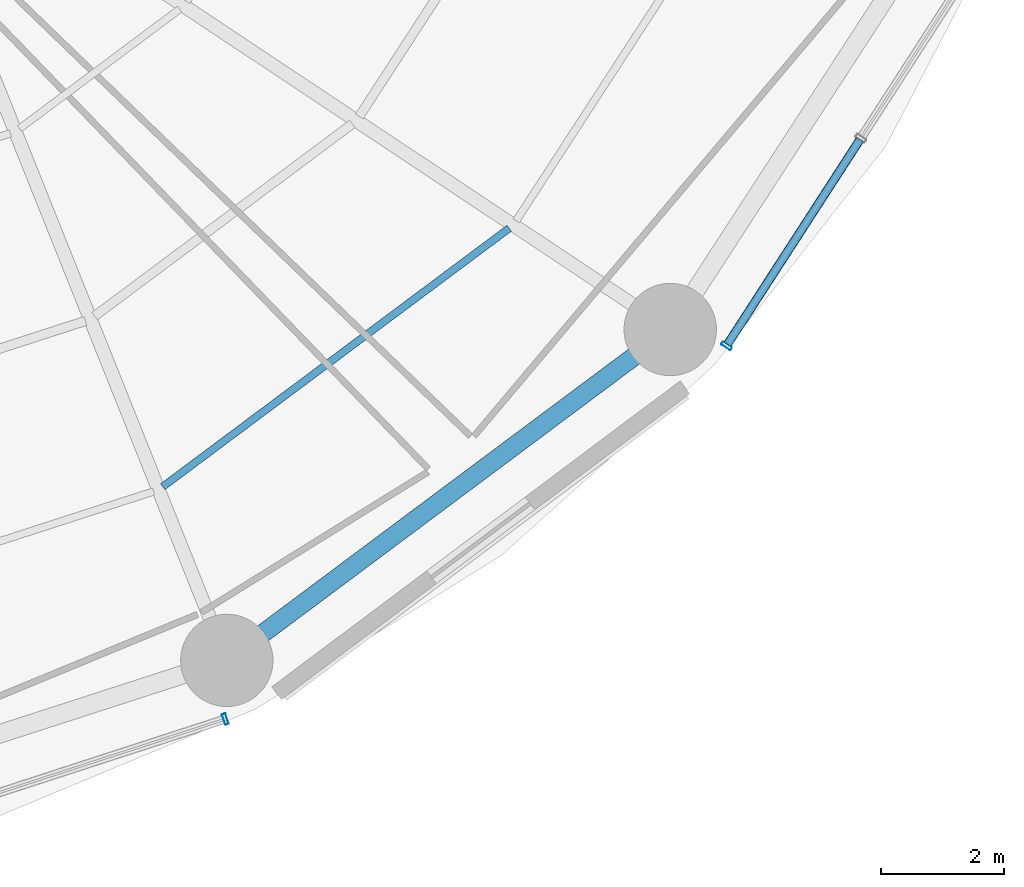
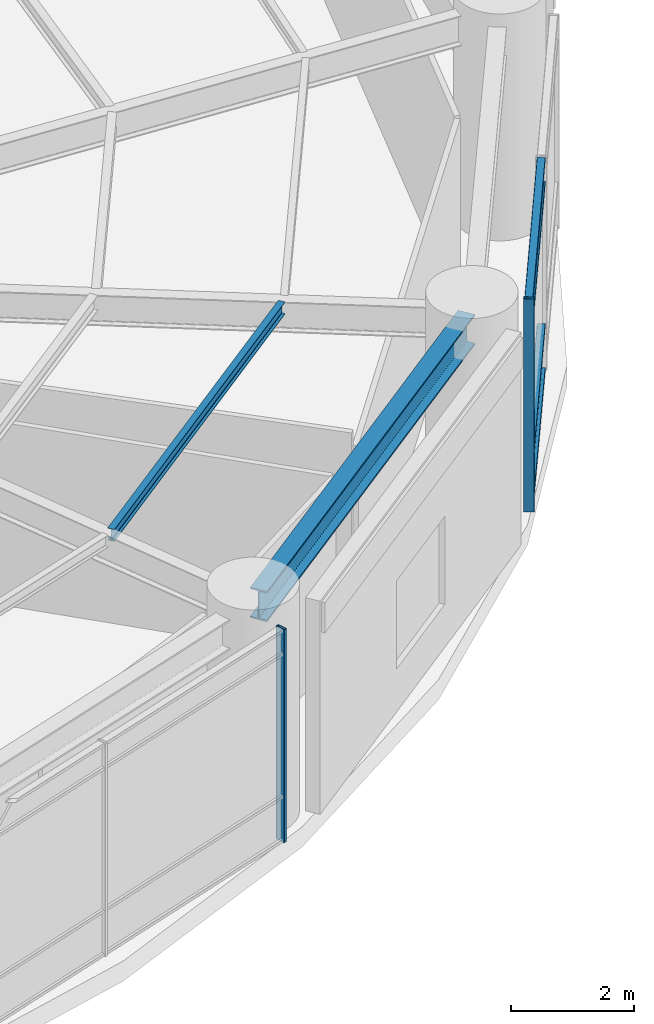
# One storey, part 19 of 46: 6 members, 2 beams, 2 elements without a shape of their own.
"""IFC4 building model written with IfcOpenShell, lengths in metres."""

from ifc_helpers import new_model, si_unit, direction, frame, origin, origin_2d, place, context, subcontext, project, spatial, hollow_rectangle, i_section, extrude, material, layer, layer_set, material_profile, profile_set, type_object, element, aggregate, save


model = new_model("IFC4")

# Units and contexts
model_context = context("Model", 3, precision=1e-05, world=origin(), true_north=direction((0.0, 1.0)))
body_context = subcontext(model_context, "Body", "Model", "MODEL_VIEW")
ifc_project = project(units=[si_unit("LENGTHUNIT", "METRE"), si_unit("AREAUNIT", "SQUARE_METRE"), si_unit("VOLUMEUNIT", "CUBIC_METRE"), si_unit("PLANEANGLEUNIT", "RADIAN"), si_unit("MASSUNIT", "GRAM", prefix="KILO")], contexts=[model_context])

# Site, building, storey
site_placement = place(None, origin())
site = spatial("IfcSite", under=ifc_project, at=site_placement, CompositionType="ELEMENT")
building_placement = place(site_placement, origin())
building = spatial("IfcBuilding", under=site, at=building_placement, Name="Kelanora Arch Commons", CompositionType="ELEMENT")
storey_placement = place(building_placement, frame((0.0, 0.0, 18.0)))
storey = spatial("IfcBuildingStorey", under=building, at=storey_placement, Name="L04", CompositionType="ELEMENT", Elevation=18.0)

# Beams
ifc_material_1 = material(Name="Steel S355", Category="steel")
ifc_material_profile_1 = material_profile(ifc_material_1, i_section(OverallWidth=0.1201171875, OverallDepth=0.239990234375, WebThickness=0.006103515625, FlangeThickness=0.009765625, FilletRadius=0.014892578125, at=origin_2d()), Name="IPE240")
ifc_profile_set_1 = profile_set([ifc_material_profile_1], Name="Steel S355")
beam_type_1 = type_object("IfcBeamType", Name="BM-JST-02", PredefinedType="JOIST", material=ifc_profile_set_1)
beam_1_placement = place(storey_placement, frame((86.5, 39.9677734375, 4.1201171875), z_axis=(0.80149131963, 0.598006408459, 0.0), x_axis=(-0.598006408459, 0.80149131963, 0.0)))
element("IfcBeam", 1, at=beam_1_placement, inside=storey, type_object=beam_type_1, Name="Secondary Chord Joist BJC-30 L04", PredefinedType="JOIST", context=body_context, shape_type="SweptSolid", body=[
    extrude(i_section(OverallWidth=0.1201171875, OverallDepth=0.239990234375, WebThickness=0.006103515625, FlangeThickness=0.009765625, FilletRadius=0.014892578125, at=origin_2d()), origin(), (0.0, 0.0, 1.0), 7.021240234375),
])
ifc_material_profile_2 = material_profile(ifc_material_1, i_section(OverallWidth=0.300048828125, OverallDepth=0.60009765625, WebThickness=0.015380859375, FlangeThickness=0.030029296875, FilletRadius=0.027099609375, at=origin_2d()), Name="HEB600")
ifc_profile_set_2 = profile_set([ifc_material_profile_2], Name="Steel S355")
beam_type_2 = type_object("IfcBeamType", Name="BM-SPN-Z1", PredefinedType="SPANDREL", material=ifc_profile_set_2)
beam_2_placement = place(storey_placement, frame((87.71630859375, 37.277587890625, 3.93994140625), z_axis=(0.801474585329, 0.598028836322, 0.0), x_axis=(-0.598028836322, 0.801474585329, 0.0)))
element("IfcBeam", 2, at=beam_2_placement, inside=storey, type_object=beam_type_2, Name="Perimeter Spandrel Beam BS-30 L04", PredefinedType="SPANDREL", context=body_context, shape_type="SweptSolid", body=[
    extrude(i_section(OverallWidth=0.300048828125, OverallDepth=0.60009765625, WebThickness=0.015380859375, FlangeThickness=0.030029296875, FilletRadius=0.027099609375, at=origin_2d()), origin(), (0.0, 0.0, 1.0), 8.549072265625),
])

# Curtain wall, member
ifc_material_2 = material(Name="Terracotta ceramic-fritted low-E glass and aluminium", Category="masonry")
ifc_layer = layer(ifc_material_2, 0.2099609375)
ifc_layer_set = layer_set([ifc_layer], Name="Terracotta ceramic-fritted low-E glass and aluminium")
curtain_wall_type = type_object("IfcCurtainWallType", Name="CW-SYS-04", PredefinedType="NOTDEFINED", material=ifc_layer_set)
curtain_wall_1_placement = place(storey_placement, origin())
curtain_wall_1 = element("IfcCurtainWall", 3, at=curtain_wall_1_placement, inside=storey, type_object=curtain_wall_type, Name="Unitised Curtain Wall L04-B14", PredefinedType="NOTDEFINED")
ifc_material_3 = material(Name="Powder-coated aluminium terracotta", Category="masonry")
ifc_material_profile_3 = material_profile(ifc_material_3, hollow_rectangle(XDim=0.179931640625, YDim=0.06005859375, WallThickness=0.0048828125, InnerFilletRadius=0.0048828125, OuterFilletRadius=0.010009765625, at=origin_2d()), Name="CWM180x60")
ifc_profile_set_3 = profile_set([ifc_material_profile_3], Name="Powder-coated aluminium terracotta")
member_type_1 = type_object("IfcMemberType", Name="CWM-HVY", PredefinedType="MULLION", material=ifc_profile_set_3)
member_1_placement = place(storey_placement, frame((87.51513671875, 36.19189453125, 0.0), z_axis=(0.0, 0.0, 1.0), x_axis=(-0.309069531911, 0.951039444211, 0.0)))
member_1 = element("IfcMember", 4, at=member_1_placement, type_object=member_type_1, Name="CW-04 mullion 3", PredefinedType="MULLION", context=body_context, shape_type="SweptSolid", body=[
    extrude(hollow_rectangle(XDim=0.179931640625, YDim=0.06005859375, WallThickness=0.0048828125, InnerFilletRadius=0.0048828125, OuterFilletRadius=0.010009765625, at=origin_2d()), origin(), (0.0, 0.0, 1.0), 4.22509765625),
])
aggregate(curtain_wall_1, [member_1])

# Curtain wall, members
curtain_wall_2_placement = place(storey_placement, origin())
curtain_wall_2 = element("IfcCurtainWall", 5, at=curtain_wall_2_placement, inside=storey, type_object=curtain_wall_type, Name="Unitised Curtain Wall L04-B16", PredefinedType="NOTDEFINED")
member_2_placement = place(storey_placement, frame((95.659912109375, 42.25634765625, 0.0), z_axis=(0.0, 0.0, 1.0), x_axis=(-0.839728582399, 0.54300636083, 0.0)))
member_2 = element("IfcMember", 6, at=member_2_placement, type_object=member_type_1, Name="CW-04 mullion 1", PredefinedType="MULLION", context=body_context, shape_type="SweptSolid", body=[
    extrude(hollow_rectangle(XDim=0.179931640625, YDim=0.06005859375, WallThickness=0.0048828125, InnerFilletRadius=0.0048828125, OuterFilletRadius=0.010009765625, at=origin_2d()), origin(), (0.0, 0.0, 1.0), 4.22509765625),
])
ifc_material_profile_4 = material_profile(ifc_material_3, hollow_rectangle(XDim=0.139892578125, YDim=0.06005859375, WallThickness=0.0048828125, InnerFilletRadius=0.0048828125, OuterFilletRadius=0.010009765625, at=origin_2d()), Name="CWT140x60")
ifc_profile_set_4 = profile_set([ifc_material_profile_4], Name="Powder-coated aluminium terracotta")
member_type_2 = type_object("IfcMemberType", Name="CWT-HVY", PredefinedType="USERDEFINED", material=ifc_profile_set_4)
member_3_placement = place(storey_placement, frame((95.67626953125, 42.281494140625, 0.030029296875), z_axis=(0.54299796475, 0.839734011623, 0.0), x_axis=(-0.839734011623, 0.54299796475, 0.0)))
member_3 = element("IfcMember", 7, at=member_3_placement, type_object=member_type_2, Name="CW-04 transom 1.1", ObjectType="TRANSOM", PredefinedType="USERDEFINED", context=body_context, shape_type="SweptSolid", body=[
    extrude(hollow_rectangle(XDim=0.139892578125, YDim=0.06005859375, WallThickness=0.0048828125, InnerFilletRadius=0.0048828125, OuterFilletRadius=0.010009765625, at=origin_2d()), origin(), (0.0, 0.0, 1.0), 3.95654296875),
])
member_4_placement = place(storey_placement, frame((95.67626953125, 42.281494140625, 0.89990234375), z_axis=(0.54299796475, 0.839734011623, 0.0), x_axis=(-0.839734011623, 0.54299796475, 0.0)))
member_4 = element("IfcMember", 8, at=member_4_placement, type_object=member_type_2, Name="CW-04 transom 1.2", ObjectType="TRANSOM", PredefinedType="USERDEFINED", context=body_context, shape_type="SweptSolid", body=[
    extrude(hollow_rectangle(XDim=0.139892578125, YDim=0.06005859375, WallThickness=0.0048828125, InnerFilletRadius=0.0048828125, OuterFilletRadius=0.010009765625, at=origin_2d()), origin(), (0.0, 0.0, 1.0), 3.95654296875),
])
member_5_placement = place(storey_placement, frame((95.67626953125, 42.281494140625, 3.72509765625), z_axis=(0.54299796475, 0.839734011623, 0.0), x_axis=(-0.839734011623, 0.54299796475, 0.0)))
member_5 = element("IfcMember", 9, at=member_5_placement, type_object=member_type_2, Name="CW-04 transom 1.3", ObjectType="TRANSOM", PredefinedType="USERDEFINED", context=body_context, shape_type="SweptSolid", body=[
    extrude(hollow_rectangle(XDim=0.139892578125, YDim=0.06005859375, WallThickness=0.0048828125, InnerFilletRadius=0.0048828125, OuterFilletRadius=0.010009765625, at=origin_2d()), origin(), (0.0, 0.0, 1.0), 3.95654296875),
])
member_6_placement = place(storey_placement, frame((95.67626953125, 42.281494140625, 4.195068359375), z_axis=(0.54299796475, 0.839734011623, 0.0), x_axis=(-0.839734011623, 0.54299796475, 0.0)))
member_6 = element("IfcMember", 10, at=member_6_placement, type_object=member_type_2, Name="CW-04 transom 1.4", ObjectType="TRANSOM", PredefinedType="USERDEFINED", context=body_context, shape_type="SweptSolid", body=[
    extrude(hollow_rectangle(XDim=0.139892578125, YDim=0.06005859375, WallThickness=0.0048828125, InnerFilletRadius=0.0048828125, OuterFilletRadius=0.010009765625, at=origin_2d()), origin(), (0.0, 0.0, 1.0), 3.95654296875),
])
aggregate(curtain_wall_2, [member_2, member_3, member_4, member_5, member_6])

save(model, "model.ifc")
